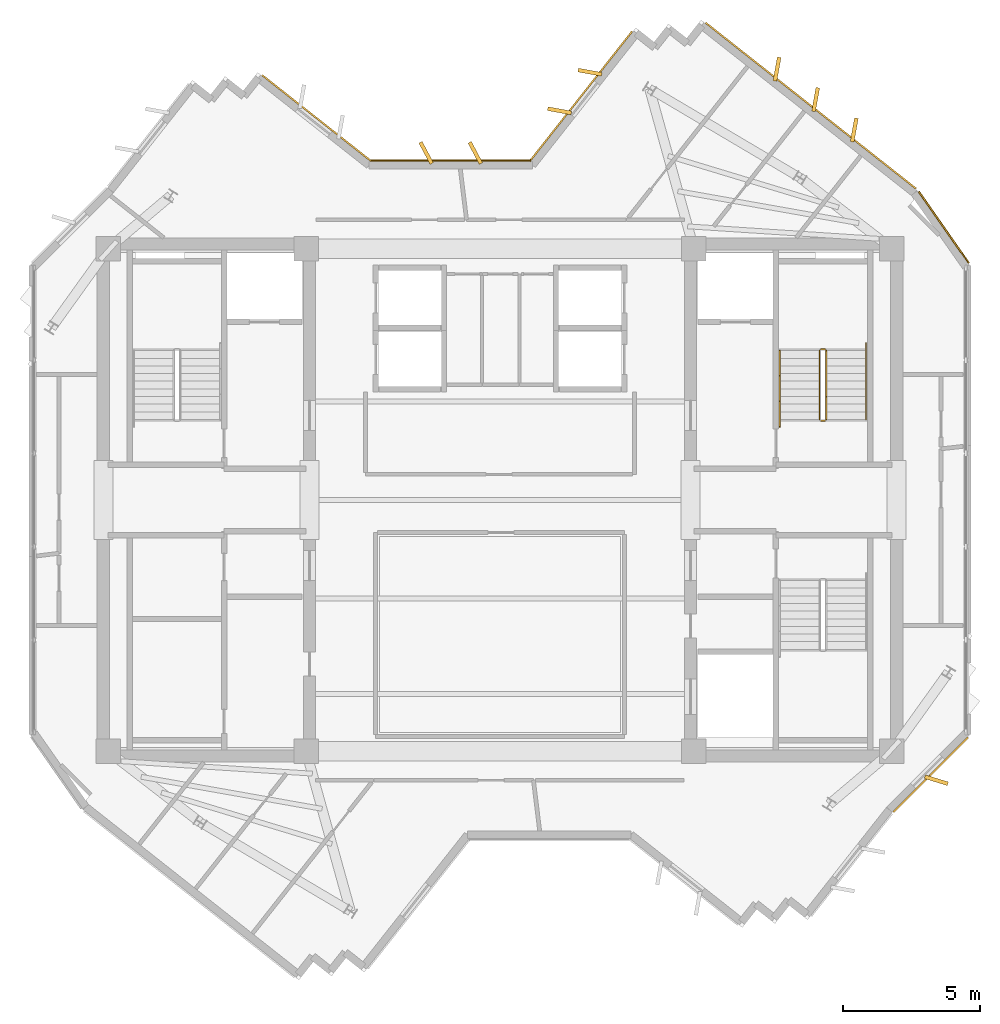
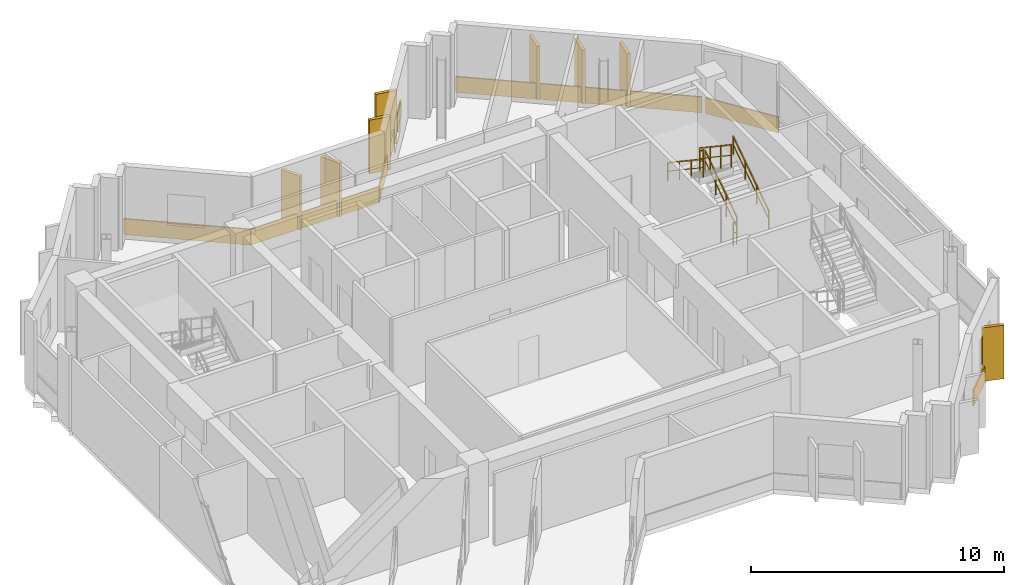
# One storey, part 10 of 10: 14 coverings, 6 railings.
"""IFC4 building model written with IfcOpenShell, lengths in metres."""

from ifc_helpers import new_model, si_unit, direction, frame, origin, origin_2d, place, context, subcontext, project, spatial, rectangle, extrude, source, transform, mapped, material, layer, layer_set, type_object, element, save


model = new_model("IFC4")

# Units and contexts
model_context = context("Model", 3, precision=1e-05, world=origin(), true_north=direction((0.0, 1.0)))
body_context = subcontext(model_context, "Body", "Model", "MODEL_VIEW")
ifc_project = project(units=[si_unit("LENGTHUNIT", "METRE"), si_unit("AREAUNIT", "SQUARE_METRE"), si_unit("VOLUMEUNIT", "CUBIC_METRE"), si_unit("PLANEANGLEUNIT", "RADIAN"), si_unit("MASSUNIT", "GRAM", prefix="KILO")], contexts=[model_context])

# Site, building, storey
site_placement = place(None, origin())
site = spatial("IfcSite", under=ifc_project, at=site_placement, CompositionType="ELEMENT")
building_placement = place(site_placement, origin())
building = spatial("IfcBuilding", under=site, at=building_placement, Name="Zahravan Cultural Tower", CompositionType="ELEMENT")
storey_placement = place(building_placement, frame((0.0, 0.0, 323.550048828125)))
storey = spatial("IfcBuildingStorey", under=building, at=storey_placement, Name="L78", CompositionType="ELEMENT", Elevation=323.550048828125)

# Railings
ifc_material_1 = material(Name="Steel ASTM A572 Grade 50", Category="steel")
railing_type_1 = type_object("IfcRailingType", Name="RL-STAIR-GRD1150", PredefinedType="BALUSTRADE", material=ifc_material_1)
railing_1_placement = place(storey_placement, frame((47.949951171875, 29.949951171875, 0.1875)))
element("IfcRailing", 1, at=railing_1_placement, inside=storey, type_object=railing_type_1, Name="L78 ST-E1 stair guard 1", PredefinedType="BALUSTRADE", context=body_context, shape_type="SweptSolid", body=[
    extrude(rectangle(XDim=0.05, YDim=0.05, at=origin_2d()), frame((0.0, 0.0, 1.0751953125), z_axis=(0.0, 0.830909170722, 0.55640807867), x_axis=(-1.0, 0.0, 0.0)), (0.0, 0.0, 1.0), 3.032958984375),
    extrude(rectangle(XDim=0.032, YDim=0.032, at=origin_2d()), frame((0.0, 0.0, 0.572021484375), z_axis=(0.0, 0.830909170722, 0.55640807867), x_axis=(-1.0, 0.0, 0.0)), (0.0, 0.0, 1.0), 3.032958984375),
    extrude(rectangle(XDim=0.04, YDim=0.04, at=origin_2d()), origin(), (0.0, 0.0, 1.0), 1.10009765625),
    extrude(rectangle(XDim=0.04, YDim=0.04, at=origin_2d()), frame((0.0, 0.840087890625, 0.5625)), (0.0, 0.0, 1.0), 1.10009765625),
    extrude(rectangle(XDim=0.04, YDim=0.04, at=origin_2d()), frame((0.0, 1.679931640625, 1.125)), (0.0, 0.0, 1.0), 1.10009765625),
    extrude(rectangle(XDim=0.04, YDim=0.04, at=origin_2d()), frame((0.0, 2.52001953125, 1.6875)), (0.0, 0.0, 1.0), 1.10009765625),
])
railing_2_placement = place(storey_placement, frame((47.89990234375, 32.52001953125, 1.875)))
element("IfcRailing", 2, at=railing_2_placement, inside=storey, type_object=railing_type_1, Name="L78 ST-E1 stair guard 2", PredefinedType="BALUSTRADE", context=body_context, shape_type="SweptSolid", body=[
    extrude(rectangle(XDim=0.05, YDim=0.05, at=origin_2d()), frame((0.0, 0.0, 1.0751953125), z_axis=(-1.0, 0.0, 0.0), x_axis=(0.0, -1.0, 0.0)), (0.0, 0.0, 1.0), 0.14990234375),
    extrude(rectangle(XDim=0.032, YDim=0.032, at=origin_2d()), frame((0.0, 0.0, 0.572021484375), z_axis=(-1.0, 0.0, 0.0), x_axis=(0.0, -1.0, 0.0)), (0.0, 0.0, 1.0), 0.14990234375),
    extrude(rectangle(XDim=0.04, YDim=0.04, at=origin_2d()), origin(), (0.0, 0.0, 1.0), 1.10009765625),
    extrude(rectangle(XDim=0.04, YDim=0.04, at=origin_2d()), frame((-0.14990234375, 0.0, 0.0)), (0.0, 0.0, 1.0), 1.10009765625),
])
railing_3_placement = place(storey_placement, frame((47.699951171875, 32.469970703125, 2.0625)))
element("IfcRailing", 3, at=railing_3_placement, inside=storey, type_object=railing_type_1, Name="L78 ST-E1 stair guard 3", PredefinedType="BALUSTRADE", context=body_context, shape_type="SweptSolid", body=[
    extrude(rectangle(XDim=0.05, YDim=0.05, at=origin_2d()), frame((0.0, 0.0, 1.0751953125), z_axis=(0.0, -0.830909170722, 0.55640807867), x_axis=(1.0, 0.0, 0.0)), (0.0, 0.0, 1.0), 3.032958984375),
    extrude(rectangle(XDim=0.032, YDim=0.032, at=origin_2d()), frame((0.0, 0.0, 0.572021484375), z_axis=(0.0, -0.830909170722, 0.55640807867), x_axis=(1.0, 0.0, 0.0)), (0.0, 0.0, 1.0), 3.032958984375),
    extrude(rectangle(XDim=0.04, YDim=0.04, at=origin_2d()), origin(), (0.0, 0.0, 1.0), 1.10009765625),
    extrude(rectangle(XDim=0.04, YDim=0.04, at=origin_2d()), frame((0.0, -0.840087890625, 0.5625)), (0.0, 0.0, 1.0), 1.10009765625),
    extrude(rectangle(XDim=0.04, YDim=0.04, at=origin_2d()), frame((0.0, -1.679931640625, 1.125)), (0.0, 0.0, 1.0), 1.10009765625),
    extrude(rectangle(XDim=0.04, YDim=0.04, at=origin_2d()), frame((0.0, -2.52001953125, 1.6875)), (0.0, 0.0, 1.0), 1.10009765625),
])
railing_4_placement = place(storey_placement, frame((47.89990234375, 29.89990234375, 0.0)))
element("IfcRailing", 4, at=railing_4_placement, inside=storey, type_object=railing_type_1, Name="L78 ST-E1 stair guard 4", PredefinedType="BALUSTRADE", context=body_context, shape_type="SweptSolid", body=[
    extrude(rectangle(XDim=0.05, YDim=0.05, at=origin_2d()), frame((0.0, 0.0, 1.0751953125), z_axis=(-1.0, 0.0, 0.0), x_axis=(0.0, -1.0, 0.0)), (0.0, 0.0, 1.0), 0.14990234375),
    extrude(rectangle(XDim=0.032, YDim=0.032, at=origin_2d()), frame((0.0, 0.0, 0.572021484375), z_axis=(-1.0, 0.0, 0.0), x_axis=(0.0, -1.0, 0.0)), (0.0, 0.0, 1.0), 0.14990234375),
    extrude(rectangle(XDim=0.04, YDim=0.04, at=origin_2d()), origin(), (0.0, 0.0, 1.0), 1.10009765625),
    extrude(rectangle(XDim=0.04, YDim=0.04, at=origin_2d()), frame((-0.14990234375, 0.0, 0.0)), (0.0, 0.0, 1.0), 1.10009765625),
])
railing_type_2 = type_object("IfcRailingType", Name="RL-STAIR-HR900", PredefinedType="HANDRAIL", material=ifc_material_1)
railing_5_placement = place(storey_placement, frame((49.39990234375, 29.949951171875, 0.1875)))
element("IfcRailing", 5, at=railing_5_placement, inside=storey, type_object=railing_type_2, Name="L78 ST-E1 stair handrail 1", PredefinedType="HANDRAIL", context=body_context, shape_type="SweptSolid", body=[
    extrude(rectangle(XDim=0.05, YDim=0.05, at=origin_2d()), frame((0.0, 0.0, 0.875), z_axis=(0.0, 0.830911662861, 0.55640435703), x_axis=(-1.0, 0.0, 0.0)), (0.0, 0.0, 1.0), 3.369873046875),
    extrude(rectangle(XDim=0.032, YDim=0.032, at=origin_2d()), frame((0.0, 0.0, 0.468017578125), z_axis=(0.0, 0.830911662861, 0.55640435703), x_axis=(-1.0, 0.0, 0.0)), (0.0, 0.0, 1.0), 3.369873046875),
    extrude(rectangle(XDim=0.04, YDim=0.04, at=origin_2d()), origin(), (0.0, 0.0, 1.0), 0.89990234375),
    extrude(rectangle(XDim=0.04, YDim=0.04, at=origin_2d()), frame((0.0, 0.933349609375, 0.625)), (0.0, 0.0, 1.0), 0.89990234375),
    extrude(rectangle(XDim=0.04, YDim=0.04, at=origin_2d()), frame((0.0, 1.86669921875, 1.25)), (0.0, 0.0, 1.0), 0.89990234375),
    extrude(rectangle(XDim=0.04, YDim=0.04, at=origin_2d()), frame((0.0, 2.800048828125, 1.875)), (0.0, 0.0, 1.0), 0.89990234375),
])
railing_6_placement = place(storey_placement, frame((46.25, 32.469970703125, 2.0625)))
element("IfcRailing", 6, at=railing_6_placement, inside=storey, type_object=railing_type_2, Name="L78 ST-E1 stair handrail 2", PredefinedType="HANDRAIL", context=body_context, shape_type="SweptSolid", body=[
    extrude(rectangle(XDim=0.05, YDim=0.05, at=origin_2d()), frame((0.0, 0.0, 0.875), z_axis=(0.0, -0.830911662861, 0.55640435703), x_axis=(1.0, 0.0, 0.0)), (0.0, 0.0, 1.0), 3.369873046875),
    extrude(rectangle(XDim=0.032, YDim=0.032, at=origin_2d()), frame((0.0, 0.0, 0.468017578125), z_axis=(0.0, -0.830911662861, 0.55640435703), x_axis=(1.0, 0.0, 0.0)), (0.0, 0.0, 1.0), 3.369873046875),
    extrude(rectangle(XDim=0.04, YDim=0.04, at=origin_2d()), origin(), (0.0, 0.0, 1.0), 0.89990234375),
    extrude(rectangle(XDim=0.04, YDim=0.04, at=origin_2d()), frame((0.0, -0.933349609375, 0.625)), (0.0, 0.0, 1.0), 0.89990234375),
    extrude(rectangle(XDim=0.04, YDim=0.04, at=origin_2d()), frame((0.0, -1.86669921875, 1.25)), (0.0, 0.0, 1.0), 0.89990234375),
    extrude(rectangle(XDim=0.04, YDim=0.04, at=origin_2d()), frame((0.0, -2.800048828125, 1.875)), (0.0, 0.0, 1.0), 0.89990234375),
])

# Coverings
ifc_material_2 = material(Name="Terracotta ceramic cladding", Category="masonry")
ifc_layer = layer(ifc_material_2, 0.06005859375)
ifc_layer_set = layer_set([ifc_layer], Name="Terracotta ceramic cladding")
covering_type = type_object("IfcCoveringType", Name="COV-CLAD-TC60", PredefinedType="CLADDING", material=ifc_layer_set)
shared_shape_1 = source(origin(), body_context, "Body", "SweptSolid", [
    extrude(rectangle(XDim=9.820068359375, YDim=0.06005859375, at=origin_2d()), origin(), (0.0, 0.0, 1.0), 0.760009765625),
])
covering_1_placement = place(storey_placement, frame((47.382080078125, 41.43798828125, 0.02001953125), z_axis=(0.0, 0.0, 1.0), x_axis=(0.785316930881, -0.61909394931, 0.0)))
element("IfcCovering", 7, at=covering_1_placement, inside=storey, type_object=covering_type, Name="L78 Terracotta Spandrel Cladding 14", PredefinedType="CLADDING", context=body_context, shape_type="MappedRepresentation", body=[
    mapped(shared_shape_1, transform((0.0, 0.0, 0.0), x_axis=(1.0, 0.0, 0.0), y_axis=(0.0, 1.0, 0.0), z_axis=(0.0, 0.0, 1.0), scale=1.0)),
])
shared_shape_2 = source(origin(), body_context, "Body", "SweptSolid", [
    extrude(rectangle(XDim=0.8798828125, YDim=0.139892578125, at=origin_2d()), origin(), (0.0, 0.0, 1.0), 2.580078125),
])
for number, where, z_axis, x_axis, name in (
    (8, (33.295166015625, 39.7099609375, 0.0498046875), (0.0, 0.0, 1.0), (-0.469471562786, 0.882947592859, 0.0), "L78 Herringbone Terracotta Fin 06"),
    (9, (35.09521484375, 39.7099609375, 0.0498046875), (0.0, 0.0, 1.0), (-0.469471562786, 0.882947592859, 0.0), "L78 Herringbone Terracotta Fin 07"),
    (10, (38.180419921875, 41.25, 0.0498046875), (0.0, 0.0, 1.0), (-0.984040697646, 0.177943545474, 0.0), "L78 Herringbone Terracotta Fin 08"),
    (11, (39.294677734375, 42.663818359375, 0.0498046875), (0.0, 0.0, 1.0), (-0.984040697646, 0.177943545474, 0.0), "L78 Herringbone Terracotta Fin 09"),
    (12, (46.14501953125, 42.776123046875, 0.0498046875), (0.0, 0.0, 1.0), (0.177943545474, 0.984040697646, 0.0), "L78 Herringbone Terracotta Fin 10"),
    (13, (47.55859375, 41.661865234375, 0.0498046875), (0.0, 0.0, 1.0), (0.177943545474, 0.984040697646, 0.0), "L78 Herringbone Terracotta Fin 11"),
    (14, (48.97216796875, 40.547607421875, 0.0498046875), (0.0, 0.0, 1.0), (0.177943545474, 0.984040697646, 0.0), "L78 Herringbone Terracotta Fin 12"),
    (15, (51.976806640625, 16.738525390625, 0.0498046875), (0.0, 0.0, 1.0), (0.956304755963, -0.292371704723, 0.0), "L78 Herringbone Terracotta Fin 13"),
):
    element("IfcCovering", number, at=place(storey_placement, frame(where, z_axis=z_axis, x_axis=x_axis)), inside=storey, type_object=covering_type, Name=name, PredefinedType="CLADDING", context=body_context, shape_type="MappedRepresentation", body=[
        mapped(shared_shape_2, transform((0.0, 0.0, 0.0), x_axis=(1.0, 0.0, 0.0), y_axis=(0.0, 1.0, 0.0), z_axis=(0.0, 0.0, 1.0), scale=1.0)),
    ])
shared_shape_3 = source(origin(), body_context, "Body", "SweptSolid", [
    extrude(rectangle(XDim=3.86328125, YDim=0.06005859375, at=origin_2d()), origin(), (0.0, 0.0, 1.0), 0.760009765625),
])
covering_2_placement = place(storey_placement, frame((51.775390625, 16.940185546875, 0.02001953125), z_axis=(0.0, 0.0, 1.0), x_axis=(-0.707106781187, -0.707106781187, 0.0)))
element("IfcCovering", 16, at=covering_2_placement, inside=storey, type_object=covering_type, Name="L78 Terracotta Spandrel Cladding 16", PredefinedType="CLADDING", context=body_context, shape_type="MappedRepresentation", body=[
    mapped(shared_shape_3, transform((0.0, 0.0, 0.0), x_axis=(1.0, 0.0, 0.0), y_axis=(0.0, 1.0, 0.0), z_axis=(0.0, 0.0, 1.0), scale=1.0)),
])
shared_shape_4 = source(origin(), body_context, "Body", "SweptSolid", [
    extrude(rectangle(XDim=5.065185546875, YDim=0.06005859375, at=origin_2d()), origin(), (0.0, 0.0, 1.0), 0.760009765625),
])
covering_3_placement = place(storey_placement, frame((29.280029296875, 40.98828125, 0.02001953125), z_axis=(0.0, 0.0, 1.0), x_axis=(0.785316930881, -0.61909394931, 0.0)))
element("IfcCovering", 17, at=covering_3_placement, inside=storey, type_object=covering_type, Name="L78 Terracotta Spandrel Cladding 07", PredefinedType="CLADDING", context=body_context, shape_type="MappedRepresentation", body=[
    mapped(shared_shape_4, transform((0.0, 0.0, 0.0), x_axis=(1.0, 0.0, 0.0), y_axis=(0.0, 1.0, 0.0), z_axis=(0.0, 0.0, 1.0), scale=1.0)),
])
shared_shape_5 = source(origin(), body_context, "Body", "SweptSolid", [
    extrude(rectangle(XDim=5.87841796875, YDim=0.06005859375, at=origin_2d()), origin(), (0.0, 0.0, 1.0), 0.760009765625),
])
covering_4_placement = place(storey_placement, frame((34.1953125, 39.425048828125, 0.02001953125), z_axis=(0.0, 0.0, 1.0), x_axis=(1.0, 0.0, 0.0)))
element("IfcCovering", 18, at=covering_4_placement, inside=storey, type_object=covering_type, Name="L78 Terracotta Spandrel Cladding 08", PredefinedType="CLADDING", context=body_context, shape_type="MappedRepresentation", body=[
    mapped(shared_shape_5, transform((0.0, 0.0, 0.0), x_axis=(1.0, 0.0, 0.0), y_axis=(0.0, 1.0, 0.0), z_axis=(0.0, 0.0, 1.0), scale=1.0)),
])
shared_shape_6 = source(origin(), body_context, "Body", "SweptSolid", [
    extrude(rectangle(XDim=6.058837890625, YDim=0.06005859375, at=origin_2d()), origin(), (0.0, 0.0, 1.0), 0.760009765625),
])
covering_5_placement = place(storey_placement, frame((38.961181640625, 41.780517578125, 0.02001953125), z_axis=(0.0, 0.0, 1.0), x_axis=(0.61909394931, 0.785316930881, 0.0)))
element("IfcCovering", 19, at=covering_5_placement, inside=storey, type_object=covering_type, Name="L78 Terracotta Spandrel Cladding 09", PredefinedType="CLADDING", context=body_context, shape_type="MappedRepresentation", body=[
    mapped(shared_shape_6, transform((0.0, 0.0, 0.0), x_axis=(1.0, 0.0, 0.0), y_axis=(0.0, 1.0, 0.0), z_axis=(0.0, 0.0, 1.0), scale=1.0)),
])
shared_shape_7 = source(origin(), body_context, "Body", "SweptSolid", [
    extrude(rectangle(XDim=3.189208984375, YDim=0.06005859375, at=origin_2d()), origin(), (0.0, 0.0, 1.0), 0.760009765625),
])
covering_6_placement = place(storey_placement, frame((52.252685546875, 36.984375, 0.02001953125), z_axis=(0.0, 0.0, 1.0), x_axis=(0.573033028033, -0.8195322744, 0.0)))
element("IfcCovering", 20, at=covering_6_placement, inside=storey, type_object=covering_type, Name="L78 Terracotta Spandrel Cladding 15", PredefinedType="CLADDING", context=body_context, shape_type="MappedRepresentation", body=[
    mapped(shared_shape_7, transform((0.0, 0.0, 0.0), x_axis=(1.0, 0.0, 0.0), y_axis=(0.0, 1.0, 0.0), z_axis=(0.0, 0.0, 1.0), scale=1.0)),
])

save(model, "model.ifc")
